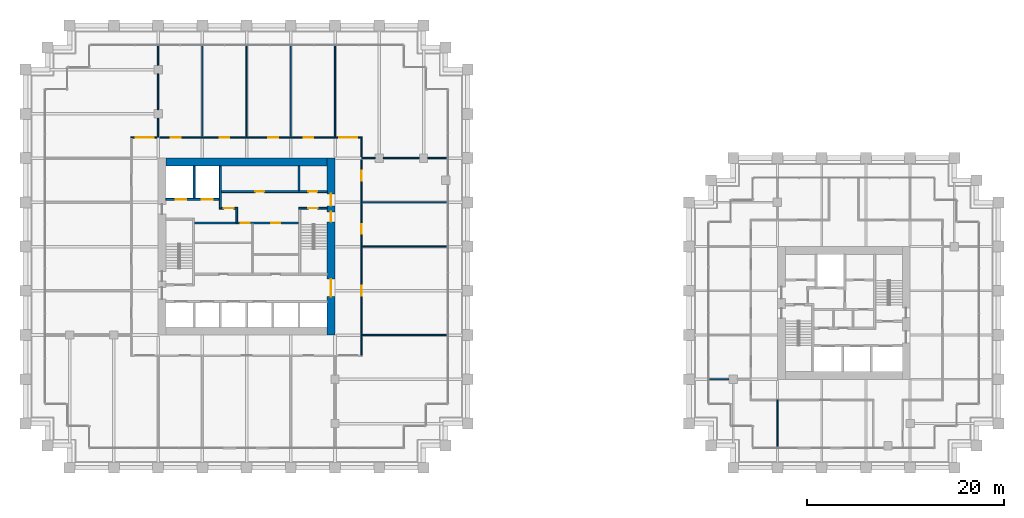
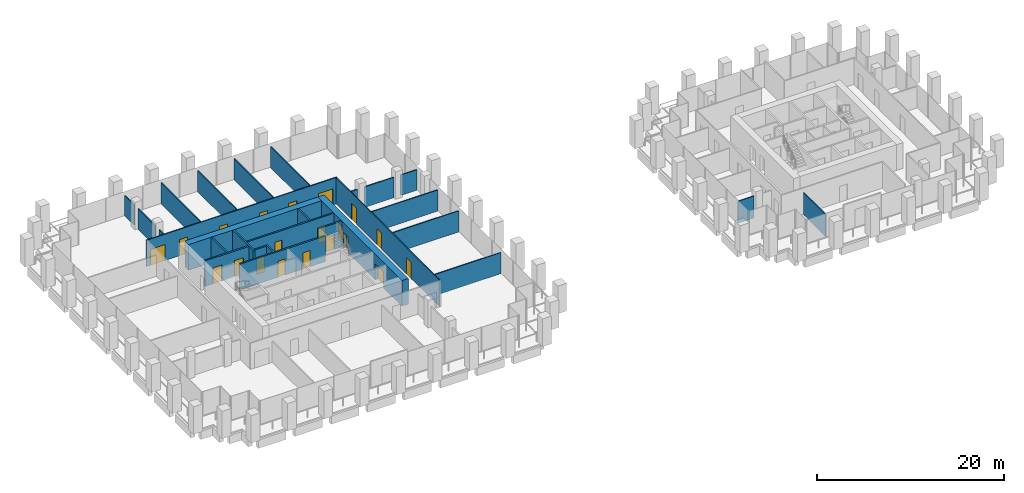
# One storey, part 51 of 56: 28 walls, 20 doors, 20 openings.
"""IFC4 building model written with IfcOpenShell, lengths in metres."""

from ifc_helpers import new_model, si_unit, direction, frame, frame_2d, origin, place, context, subcontext, project, spatial, rectangle, extrude, material, layer, layer_set, type_object, element, fill, save


model = new_model("IFC4")

# Units and contexts
model_context = context("Model", 3, precision=1e-05, world=origin(), true_north=direction((0.0, 1.0)))
body_context = subcontext(model_context, "Body", "Model", "MODEL_VIEW")
ifc_project = project(units=[si_unit("LENGTHUNIT", "METRE"), si_unit("AREAUNIT", "SQUARE_METRE"), si_unit("VOLUMEUNIT", "CUBIC_METRE"), si_unit("PLANEANGLEUNIT", "RADIAN"), si_unit("MASSUNIT", "GRAM", prefix="KILO")], contexts=[model_context])

# Site, building, storey
site_placement = place(None, origin())
site = spatial("IfcSite", under=ifc_project, at=site_placement, CompositionType="ELEMENT")
building_placement = place(site_placement, origin())
building = spatial("IfcBuilding", under=site, at=building_placement, Name="Altepetl Exchange Towers", CompositionType="ELEMENT")
storey_placement = place(building_placement, frame((0.0, 0.0, 51.0)))
storey = spatial("IfcBuildingStorey", under=building, at=storey_placement, Name="L11", CompositionType="ELEMENT", Elevation=51.0)

# Wall, openings, doors
ifc_material_1 = material(Name="Concrete C70/85", Category="concrete")
ifc_layer_1 = layer(ifc_material_1, 0.800048828125)
ifc_layer_set_1 = layer_set([ifc_layer_1], Name="Concrete C70/85")
wall_type_1 = type_object("IfcWallType", Name="Core wall 800 reinforced concrete", PredefinedType="SHEAR", material=ifc_layer_set_1)
wall_1_placement = place(storey_placement, frame((58.10009765625, 40.5, 0.0), z_axis=(0.0, 0.0, 1.0), x_axis=(0.0, 1.0, 0.0)))
wall_1 = element("IfcWall", 1, at=wall_1_placement, inside=storey, type_object=wall_type_1, Name="wall:A:L11:K-coreE", PredefinedType="SHEAR", context=body_context, shape_type="SweptSolid", body=[
    extrude(rectangle(XDim=18.0, YDim=0.800048828125, at=frame_2d((9.0, 0.0))), origin(), (0.0, 0.0, 1.0), 3.35009765625),
])
opening_1_placement = place(wall_1_placement, frame((13.14990234375, 0.0, 0.0)))
opening_1 = element("IfcOpeningElement", 2, at=opening_1_placement, cuts=wall_1, Name="Opening L11.A60", PredefinedType="OPENING", context=body_context, shape_type="SweptSolid", body=[
    extrude(rectangle(XDim=1.199951171875, YDim=2.10009765625, at=frame_2d((0.60009765625, 1.050048828125))), frame((0.0, 0.41015625, 0.0), z_axis=(0.0, -1.0, 0.0), x_axis=(1.0, 0.0, 0.0)), (0.0, 0.0, 1.0), 0.820068359375),
])
opening_2_placement = place(wall_1_placement, frame((3.89990234375, 0.0, 0.0)))
opening_2 = element("IfcOpeningElement", 3, at=opening_2_placement, cuts=wall_1, Name="Opening L11.A61", PredefinedType="OPENING", context=body_context, shape_type="SweptSolid", body=[
    extrude(rectangle(XDim=1.800048828125, YDim=2.10009765625, at=frame_2d((0.89990234375, 1.050048828125))), frame((0.0, 0.41015625, 0.0), z_axis=(0.0, -1.0, 0.0), x_axis=(1.0, 0.0, 0.0)), (0.0, 0.0, 1.0), 0.820068359375),
])
opening_3_placement = place(wall_1_placement, frame((11.52490234375, 0.0, 0.0)))
opening_3 = element("IfcOpeningElement", 4, at=opening_3_placement, cuts=wall_1, Name="Opening L11.A66", PredefinedType="OPENING", context=body_context, shape_type="SweptSolid", body=[
    extrude(rectangle(XDim=1.0, YDim=2.10009765625, at=frame_2d((0.5, 1.050048828125))), frame((0.0, 0.41015625, 0.0), z_axis=(0.0, -1.0, 0.0), x_axis=(1.0, 0.0, 0.0)), (0.0, 0.0, 1.0), 0.820068359375),
])
ifc_material_2 = material(Name="Steel and timber fire door", Category="steel")
door_type_1 = type_object("IfcDoorType", Name="Fire door 1000 x 2100 stair and lobby", OperationType="SINGLE_SWING_LEFT", PredefinedType="DOOR", material=ifc_material_2)
door_1_placement = place(opening_3_placement, origin())
door_1 = element("IfcDoor", 5, at=door_1_placement, inside=storey, type_object=door_type_1, Name="door:A:L11:K-dS2x", OperationType="SINGLE_SWING_RIGHT", OverallHeight=2.10009765625, OverallWidth=1.0, PredefinedType="DOOR", context=body_context, shape_type="SweptSolid", body=[
    extrude(rectangle(XDim=1.0, YDim=2.10009765625, at=frame_2d((0.5, 1.050048828125))), frame((0.0, 0.02490234375, 0.0), z_axis=(0.0, -1.0, 0.0), x_axis=(1.0, 0.0, 0.0)), (0.0, 0.0, 1.0), 0.050048828125),
])
fill(opening_3, door_1)
door_type_2 = type_object("IfcDoorType", Name="Fire door 1200 x 2100 lobby entry", OperationType="SINGLE_SWING_LEFT", PredefinedType="DOOR", material=ifc_material_2)
door_2_placement = place(opening_1_placement, origin())
door_2 = element("IfcDoor", 6, at=door_2_placement, inside=storey, type_object=door_type_2, Name="door:A:L11:K-dLNE", OperationType="SINGLE_SWING_RIGHT", OverallHeight=2.10009765625, OverallWidth=1.199951171875, PredefinedType="DOOR", context=body_context, shape_type="SweptSolid", body=[
    extrude(rectangle(XDim=1.199951171875, YDim=2.10009765625, at=frame_2d((0.60009765625, 1.050048828125))), frame((0.0, 0.02490234375, 0.0), z_axis=(0.0, -1.0, 0.0), x_axis=(1.0, 0.0, 0.0)), (0.0, 0.0, 1.0), 0.050048828125),
])
fill(opening_1, door_2)
door_type_3 = type_object("IfcDoorType", Name="Fire door 1800 x 2100 lobby entry", OperationType="DOUBLE_DOOR_SINGLE_SWING", PredefinedType="DOOR", material=ifc_material_2)
door_3_placement = place(opening_2_placement, origin())
door_3 = element("IfcDoor", 7, at=door_3_placement, inside=storey, type_object=door_type_3, Name="door:A:L11:K-dLSE", OperationType="DOUBLE_DOOR_SINGLE_SWING", OverallHeight=2.10009765625, OverallWidth=1.800048828125, PredefinedType="DOOR", context=body_context, shape_type="SweptSolid", body=[
    extrude(rectangle(XDim=1.800048828125, YDim=2.10009765625, at=frame_2d((0.89990234375, 1.050048828125))), frame((0.0, 0.02490234375, 0.0), z_axis=(0.0, -1.0, 0.0), x_axis=(1.0, 0.0, 0.0)), (0.0, 0.0, 1.0), 0.050048828125),
])
fill(opening_2, door_3)

# Walls
wall_2_placement = place(storey_placement, frame((41.300048828125, 58.10009765625, 0.0)))
element("IfcWall", 8, at=wall_2_placement, inside=storey, type_object=wall_type_1, Name="wall:A:L11:K-coreN", PredefinedType="SHEAR", context=body_context, shape_type="SweptSolid", body=[
    extrude(rectangle(XDim=16.39990234375, YDim=0.800048828125, at=frame_2d((8.199951171875, 0.0))), origin(), (0.0, 0.0, 1.0), 3.35009765625),
])
ifc_material_3 = material(Name="Concrete blockwork", Category="masonry")
ifc_layer_2 = layer(ifc_material_3, 0.199951171875)
ifc_layer_set_2 = layer_set([ifc_layer_2], Name="Concrete blockwork")
wall_type_2 = type_object("IfcWallType", Name="Lobby wall 200 blockwork", PredefinedType="PARTITIONING", material=ifc_layer_set_2)
wall_3_placement = place(storey_placement, frame((48.5, 51.89990234375, 0.0), z_axis=(0.0, 0.0, 1.0), x_axis=(0.0, 1.0, 0.0)))
element("IfcWall", 9, at=wall_3_placement, inside=storey, type_object=wall_type_2, Name="wall:A:L11:K-ffE", PredefinedType="PARTITIONING", context=body_context, shape_type="SweptSolid", body=[
    extrude(rectangle(XDim=1.60009765625, YDim=0.199951171875, at=frame_2d((0.800048828125, 0.0))), origin(), (0.0, 0.0, 1.0), 3.35009765625),
])

# Wall, opening, door
wall_4_placement = place(storey_placement, frame((46.933349609375, 53.39990234375, 0.0)))
wall_4 = element("IfcWall", 10, at=wall_4_placement, inside=storey, type_object=wall_type_2, Name="wall:A:L11:K-ffN", PredefinedType="PARTITIONING", context=body_context, shape_type="SweptSolid", body=[
    extrude(rectangle(XDim=1.466552734375, YDim=0.199951171875, at=frame_2d((0.7333984375, 0.0))), origin(), (0.0, 0.0, 1.0), 3.35009765625),
])
opening_4_placement = place(wall_4_placement, frame((0.2666015625, 0.0, 0.0)))
opening_4 = element("IfcOpeningElement", 11, at=opening_4_placement, cuts=wall_4, Name="Opening L11.A67", PredefinedType="OPENING", context=body_context, shape_type="SweptSolid", body=[
    extrude(rectangle(XDim=1.0, YDim=2.10009765625, at=frame_2d((0.5, 1.050048828125))), frame((0.0, 0.10986328125, 0.0), z_axis=(0.0, -1.0, 0.0), x_axis=(1.0, 0.0, 0.0)), (0.0, 0.0, 1.0), 0.219970703125),
])
door_4_placement = place(opening_4_placement, frame((1.0, 0.0, 0.0), x_axis=(-1.0, 0.0, 0.0)))
door_4 = element("IfcDoor", 12, at=door_4_placement, inside=storey, type_object=door_type_1, Name="door:A:L11:K-dffN", OperationType="SINGLE_SWING_RIGHT", OverallHeight=2.10009765625, OverallWidth=1.0, PredefinedType="DOOR", context=body_context, shape_type="SweptSolid", body=[
    extrude(rectangle(XDim=1.0, YDim=2.10009765625, at=frame_2d((0.5, 1.050048828125))), frame((0.0, 0.02490234375, 0.0), z_axis=(0.0, -1.0, 0.0), x_axis=(1.0, 0.0, 0.0)), (0.0, 0.0, 1.0), 0.050048828125),
])
fill(opening_4, door_4)

# Wall, openings, doors
wall_5_placement = place(storey_placement, frame((44.199951171875, 51.89990234375, 0.0)))
wall_5 = element("IfcWall", 13, at=wall_5_placement, inside=storey, type_object=wall_type_2, Name="wall:A:L11:K-zoneN", PredefinedType="PARTITIONING", context=body_context, shape_type="SweptSolid", body=[
    extrude(rectangle(XDim=10.60009765625, YDim=0.199951171875, at=frame_2d((5.300048828125, 0.0))), origin(), (0.0, 0.0, 1.0), 3.35009765625),
])
opening_5_placement = place(wall_5_placement, frame((4.72509765625, 0.0, 0.0)))
opening_5 = element("IfcOpeningElement", 14, at=opening_5_placement, cuts=wall_5, Name="Opening L11.A72", PredefinedType="OPENING", context=body_context, shape_type="SweptSolid", body=[
    extrude(rectangle(XDim=0.89990234375, YDim=2.10009765625, at=frame_2d((0.449951171875, 1.050048828125))), frame((0.0, 0.10986328125, 0.0), z_axis=(0.0, -1.0, 0.0), x_axis=(1.0, 0.0, 0.0)), (0.0, 0.0, 1.0), 0.219970703125),
])
opening_6_placement = place(wall_5_placement, frame((7.800048828125, 0.0, 0.0)))
opening_6 = element("IfcOpeningElement", 15, at=opening_6_placement, cuts=wall_5, Name="Opening L11.A74", PredefinedType="OPENING", context=body_context, shape_type="SweptSolid", body=[
    extrude(rectangle(XDim=0.89990234375, YDim=2.10009765625, at=frame_2d((0.449951171875, 1.050048828125))), frame((0.0, 0.10986328125, 0.0), z_axis=(0.0, -1.0, 0.0), x_axis=(1.0, 0.0, 0.0)), (0.0, 0.0, 1.0), 0.219970703125),
])
door_type_4 = type_object("IfcDoorType", Name="Fire door 900 x 2100 service room", OperationType="SINGLE_SWING_LEFT", PredefinedType="DOOR", material=ifc_material_2)
door_5_placement = place(opening_5_placement, frame((0.89990234375, 0.0, 0.0), x_axis=(-1.0, 0.0, 0.0)))
door_5 = element("IfcDoor", 16, at=door_5_placement, inside=storey, type_object=door_type_4, Name="door:A:L11:K-dz2", OperationType="SINGLE_SWING_RIGHT", OverallHeight=2.10009765625, OverallWidth=0.89990234375, PredefinedType="DOOR", context=body_context, shape_type="SweptSolid", body=[
    extrude(rectangle(XDim=0.89990234375, YDim=2.10009765625, at=frame_2d((0.449951171875, 1.050048828125))), frame((0.0, 0.02490234375, 0.0), z_axis=(0.0, -1.0, 0.0), x_axis=(1.0, 0.0, 0.0)), (0.0, 0.0, 1.0), 0.050048828125),
])
fill(opening_5, door_5)
door_6_placement = place(opening_6_placement, frame((0.89990234375, 0.0, 0.0), x_axis=(-1.0, 0.0, 0.0)))
door_6 = element("IfcDoor", 17, at=door_6_placement, inside=storey, type_object=door_type_4, Name="door:A:L11:K-dz4", OperationType="SINGLE_SWING_LEFT", OverallHeight=2.10009765625, OverallWidth=0.89990234375, PredefinedType="DOOR", context=body_context, shape_type="SweptSolid", body=[
    extrude(rectangle(XDim=0.89990234375, YDim=2.10009765625, at=frame_2d((0.449951171875, 1.050048828125))), frame((0.0, 0.02490234375, 0.0), z_axis=(0.0, -1.0, 0.0), x_axis=(1.0, 0.0, 0.0)), (0.0, 0.0, 1.0), 0.050048828125),
])
fill(opening_6, door_6)

# Walls
ifc_material_4 = material(Name="Gypsum board on steel studs", Category="steel")
ifc_layer_3 = layer(ifc_material_4, 0.125)
ifc_layer_set_3 = layer_set([ifc_layer_3], Name="Gypsum board on steel studs")
wall_type_3 = type_object("IfcWallType", Name="Partition 125 gypsum board on steel studs", PredefinedType="PARTITIONING", material=ifc_layer_set_3)
for number, where, name in (
    (18, (61.199951171875, 40.5, 0.0), "wall:A:L11:P05"),
    (19, (61.199951171875, 49.5, 0.0), "wall:A:L11:P07"),
    (20, (61.199951171875, 54.0, 0.0), "wall:A:L11:P09"),
):
    element("IfcWall", number, at=place(storey_placement, frame(where)), inside=storey, type_object=wall_type_3, Name=name, PredefinedType="PARTITIONING", context=body_context, shape_type="SweptSolid", body=[
        extrude(rectangle(XDim=8.699951171875, YDim=0.125, at=frame_2d((4.35009765625, 0.0))), origin(), (0.0, 0.0, 1.0), 2.76611328125),
    ])
wall_6_placement = place(storey_placement, frame((61.199951171875, 58.5, 0.0)))
element("IfcWall", 21, at=wall_6_placement, inside=storey, type_object=wall_type_3, Name="wall:A:L11:P11", PredefinedType="PARTITIONING", context=body_context, shape_type="SweptSolid", body=[
    extrude(rectangle(XDim=1.375, YDim=0.125, at=frame_2d((0.6875, 0.0))), origin(), (0.0, 0.0, 1.0), 2.676025390625),
])
wall_7_placement = place(storey_placement, frame((63.425048828125, 58.5, 0.0)))
element("IfcWall", 22, at=wall_7_placement, inside=storey, type_object=wall_type_3, Name="wall:A:L11:P12", PredefinedType="PARTITIONING", context=body_context, shape_type="SweptSolid", body=[
    extrude(rectangle(XDim=3.64990234375, YDim=0.125, at=frame_2d((1.824951171875, 0.0))), origin(), (0.0, 0.0, 1.0), 2.676025390625),
])
wall_8_placement = place(storey_placement, frame((67.925048828125, 58.5, 0.0)))
element("IfcWall", 23, at=wall_8_placement, inside=storey, type_object=wall_type_3, Name="wall:A:L11:P13", PredefinedType="PARTITIONING", context=body_context, shape_type="SweptSolid", body=[
    extrude(rectangle(XDim=1.974853515625, YDim=0.125, at=frame_2d((0.9873046875, 0.0))), origin(), (0.0, 0.0, 1.0), 2.676025390625),
])

# Wall, openings, doors
wall_9_placement = place(storey_placement, frame((37.737548828125, 60.60009765625, 0.0)))
wall_9 = element("IfcWall", 24, at=wall_9_placement, inside=storey, type_object=wall_type_3, Name="wall:A:L11:P14", PredefinedType="PARTITIONING", context=body_context, shape_type="SweptSolid", body=[
    extrude(rectangle(XDim=23.52490234375, YDim=0.125, at=frame_2d((11.762451171875, 0.0))), origin(), (0.0, 0.0, 1.0), 3.449951171875),
])
opening_7_placement = place(wall_9_placement, frame((21.21240234375, 0.0, 0.0)))
opening_7 = element("IfcOpeningElement", 25, at=opening_7_placement, cuts=wall_9, Name="Opening L11.A10", PredefinedType="OPENING", context=body_context, shape_type="SweptSolid", body=[
    extrude(rectangle(XDim=1.800048828125, YDim=2.10009765625, at=frame_2d((0.89990234375, 1.050048828125))), frame((0.0, 0.072509765625, 0.0), z_axis=(0.0, -1.0, 0.0), x_axis=(1.0, 0.0, 0.0)), (0.0, 0.0, 1.0), 0.14501953125),
])
opening_8_placement = place(wall_9_placement, frame((17.5576171875, 0.0, 0.0)))
opening_8 = element("IfcOpeningElement", 26, at=opening_8_placement, cuts=wall_9, Name="Opening L11.A11", PredefinedType="OPENING", context=body_context, shape_type="SweptSolid", body=[
    extrude(rectangle(XDim=1.0, YDim=2.10009765625, at=frame_2d((0.5, 1.050048828125))), frame((0.0, 0.072509765625, 0.0), z_axis=(0.0, -1.0, 0.0), x_axis=(1.0, 0.0, 0.0)), (0.0, 0.0, 1.0), 0.14501953125),
])
opening_9_placement = place(wall_9_placement, frame((13.967529296875, 0.0, 0.0)))
opening_9 = element("IfcOpeningElement", 27, at=opening_9_placement, cuts=wall_9, Name="Opening L11.A12", PredefinedType="OPENING", context=body_context, shape_type="SweptSolid", body=[
    extrude(rectangle(XDim=1.0, YDim=2.10009765625, at=frame_2d((0.5, 1.050048828125))), frame((0.0, 0.072509765625, 0.0), z_axis=(0.0, -1.0, 0.0), x_axis=(1.0, 0.0, 0.0)), (0.0, 0.0, 1.0), 0.14501953125),
])
opening_10_placement = place(wall_9_placement, frame((9.012451171875, 0.0, 0.0)))
opening_10 = element("IfcOpeningElement", 28, at=opening_10_placement, cuts=wall_9, Name="Opening L11.A13", PredefinedType="OPENING", context=body_context, shape_type="SweptSolid", body=[
    extrude(rectangle(XDim=1.0, YDim=2.10009765625, at=frame_2d((0.5, 1.050048828125))), frame((0.0, 0.072509765625, 0.0), z_axis=(0.0, -1.0, 0.0), x_axis=(1.0, 0.0, 0.0)), (0.0, 0.0, 1.0), 0.14501953125),
])
opening_11_placement = place(wall_9_placement, frame((4.0576171875, 0.0, 0.0)))
opening_11 = element("IfcOpeningElement", 29, at=opening_11_placement, cuts=wall_9, Name="Opening L11.A14", PredefinedType="OPENING", context=body_context, shape_type="SweptSolid", body=[
    extrude(rectangle(XDim=1.0, YDim=2.10009765625, at=frame_2d((0.5, 1.050048828125))), frame((0.0, 0.072509765625, 0.0), z_axis=(0.0, -1.0, 0.0), x_axis=(1.0, 0.0, 0.0)), (0.0, 0.0, 1.0), 0.14501953125),
])
opening_12_placement = place(wall_9_placement, frame((0.512451171875, 0.0, 0.0)))
opening_12 = element("IfcOpeningElement", 30, at=opening_12_placement, cuts=wall_9, Name="Opening L11.A15", PredefinedType="OPENING", context=body_context, shape_type="SweptSolid", body=[
    extrude(rectangle(XDim=1.800048828125, YDim=2.10009765625, at=frame_2d((0.89990234375, 1.050048828125))), frame((0.0, 0.072509765625, 0.0), z_axis=(0.0, -1.0, 0.0), x_axis=(1.0, 0.0, 0.0)), (0.0, 0.0, 1.0), 0.14501953125),
])
door_type_5 = type_object("IfcDoorType", Name="Fire door 1000 x 2100 single leaf", OperationType="SINGLE_SWING_LEFT", PredefinedType="DOOR", material=ifc_material_2)
door_7_placement = place(opening_8_placement, origin())
door_7 = element("IfcDoor", 31, at=door_7_placement, inside=storey, type_object=door_type_5, Name="door:A:L11:11", OperationType="SINGLE_SWING_RIGHT", OverallHeight=2.10009765625, OverallWidth=1.0, PredefinedType="DOOR", context=body_context, shape_type="SweptSolid", body=[
    extrude(rectangle(XDim=1.0, YDim=2.10009765625, at=frame_2d((0.5, 1.050048828125))), frame((0.0, 0.02490234375, 0.0), z_axis=(0.0, -1.0, 0.0), x_axis=(1.0, 0.0, 0.0)), (0.0, 0.0, 1.0), 0.050048828125),
])
fill(opening_8, door_7)
door_8_placement = place(opening_9_placement, origin())
door_8 = element("IfcDoor", 32, at=door_8_placement, inside=storey, type_object=door_type_5, Name="door:A:L11:12", OperationType="SINGLE_SWING_LEFT", OverallHeight=2.10009765625, OverallWidth=1.0, PredefinedType="DOOR", context=body_context, shape_type="SweptSolid", body=[
    extrude(rectangle(XDim=1.0, YDim=2.10009765625, at=frame_2d((0.5, 1.050048828125))), frame((0.0, 0.02490234375, 0.0), z_axis=(0.0, -1.0, 0.0), x_axis=(1.0, 0.0, 0.0)), (0.0, 0.0, 1.0), 0.050048828125),
])
fill(opening_9, door_8)
door_9_placement = place(opening_10_placement, origin())
door_9 = element("IfcDoor", 33, at=door_9_placement, inside=storey, type_object=door_type_5, Name="door:A:L11:13", OperationType="SINGLE_SWING_RIGHT", OverallHeight=2.10009765625, OverallWidth=1.0, PredefinedType="DOOR", context=body_context, shape_type="SweptSolid", body=[
    extrude(rectangle(XDim=1.0, YDim=2.10009765625, at=frame_2d((0.5, 1.050048828125))), frame((0.0, 0.02490234375, 0.0), z_axis=(0.0, -1.0, 0.0), x_axis=(1.0, 0.0, 0.0)), (0.0, 0.0, 1.0), 0.050048828125),
])
fill(opening_10, door_9)
door_10_placement = place(opening_11_placement, origin())
door_10 = element("IfcDoor", 34, at=door_10_placement, inside=storey, type_object=door_type_5, Name="door:A:L11:14", OperationType="SINGLE_SWING_LEFT", OverallHeight=2.10009765625, OverallWidth=1.0, PredefinedType="DOOR", context=body_context, shape_type="SweptSolid", body=[
    extrude(rectangle(XDim=1.0, YDim=2.10009765625, at=frame_2d((0.5, 1.050048828125))), frame((0.0, 0.02490234375, 0.0), z_axis=(0.0, -1.0, 0.0), x_axis=(1.0, 0.0, 0.0)), (0.0, 0.0, 1.0), 0.050048828125),
])
fill(opening_11, door_10)
door_type_6 = type_object("IfcDoorType", Name="Fire door 1800 x 2100 double leaf", OperationType="DOUBLE_DOOR_SINGLE_SWING", PredefinedType="DOOR", material=ifc_material_2)
door_11_placement = place(opening_7_placement, origin())
door_11 = element("IfcDoor", 35, at=door_11_placement, inside=storey, type_object=door_type_6, Name="door:A:L11:10", OperationType="DOUBLE_DOOR_SINGLE_SWING", OverallHeight=2.10009765625, OverallWidth=1.800048828125, PredefinedType="DOOR", context=body_context, shape_type="SweptSolid", body=[
    extrude(rectangle(XDim=1.800048828125, YDim=2.10009765625, at=frame_2d((0.89990234375, 1.050048828125))), frame((0.0, 0.02490234375, 0.0), z_axis=(0.0, -1.0, 0.0), x_axis=(1.0, 0.0, 0.0)), (0.0, 0.0, 1.0), 0.050048828125),
])
fill(opening_7, door_11)
door_12_placement = place(opening_12_placement, origin())
door_12 = element("IfcDoor", 36, at=door_12_placement, inside=storey, type_object=door_type_6, Name="door:A:L11:15", OperationType="DOUBLE_DOOR_SINGLE_SWING", OverallHeight=2.10009765625, OverallWidth=1.800048828125, PredefinedType="DOOR", context=body_context, shape_type="SweptSolid", body=[
    extrude(rectangle(XDim=1.800048828125, YDim=2.10009765625, at=frame_2d((0.89990234375, 1.050048828125))), frame((0.0, 0.02490234375, 0.0), z_axis=(0.0, -1.0, 0.0), x_axis=(1.0, 0.0, 0.0)), (0.0, 0.0, 1.0), 0.050048828125),
])
fill(opening_12, door_12)

# Walls
wall_10_placement = place(storey_placement, frame((40.5, 60.60009765625, 0.0), z_axis=(0.0, 0.0, 1.0), x_axis=(0.0, 1.0, 0.0)))
element("IfcWall", 37, at=wall_10_placement, inside=storey, type_object=wall_type_3, Name="wall:A:L11:P17", PredefinedType="PARTITIONING", context=body_context, shape_type="SweptSolid", body=[
    extrude(rectangle(XDim=1.974853515625, YDim=0.125, at=frame_2d((0.9873046875, 0.0))), origin(), (0.0, 0.0, 1.0), 2.676025390625),
])
wall_11_placement = place(storey_placement, frame((40.5, 63.425048828125, 0.0), z_axis=(0.0, 0.0, 1.0), x_axis=(0.0, 1.0, 0.0)))
element("IfcWall", 38, at=wall_11_placement, inside=storey, type_object=wall_type_3, Name="wall:A:L11:P18", PredefinedType="PARTITIONING", context=body_context, shape_type="SweptSolid", body=[
    extrude(rectangle(XDim=3.64990234375, YDim=0.125, at=frame_2d((1.824951171875, 0.0))), origin(), (0.0, 0.0, 1.0), 2.676025390625),
])
wall_12_placement = place(storey_placement, frame((40.5, 67.925048828125, 0.0), z_axis=(0.0, 0.0, 1.0), x_axis=(0.0, 1.0, 0.0)))
element("IfcWall", 39, at=wall_12_placement, inside=storey, type_object=wall_type_3, Name="wall:A:L11:P19", PredefinedType="PARTITIONING", context=body_context, shape_type="SweptSolid", body=[
    extrude(rectangle(XDim=1.974853515625, YDim=0.125, at=frame_2d((0.9873046875, 0.0))), origin(), (0.0, 0.0, 1.0), 2.676025390625),
])
for number, where, z_axis, x_axis, name in (
    (40, (45.0, 60.60009765625, 0.0), (0.0, 0.0, 1.0), (0.0, 1.0, 0.0), "wall:A:L11:P21"),
    (41, (49.5, 60.60009765625, 0.0), (0.0, 0.0, 1.0), (0.0, 1.0, 0.0), "wall:A:L11:P22"),
    (42, (54.0, 60.60009765625, 0.0), (0.0, 0.0, 1.0), (0.0, 1.0, 0.0), "wall:A:L11:P24"),
    (43, (58.5, 60.60009765625, 0.0), (0.0, 0.0, 1.0), (0.0, 1.0, 0.0), "wall:A:L11:P28"),
):
    element("IfcWall", number, at=place(storey_placement, frame(where, z_axis=z_axis, x_axis=x_axis)), inside=storey, type_object=wall_type_3, Name=name, PredefinedType="PARTITIONING", context=body_context, shape_type="SweptSolid", body=[
        extrude(rectangle(XDim=9.2998046875, YDim=0.125, at=frame_2d((4.64990234375, 0.0))), origin(), (0.0, 0.0, 1.0), 2.76611328125),
    ])

# Wall, openings, doors
wall_13_placement = place(storey_placement, frame((61.199951171875, 38.46240234375, 0.0), z_axis=(0.0, 0.0, 1.0), x_axis=(0.0, 1.0, 0.0)))
wall_13 = element("IfcWall", 44, at=wall_13_placement, inside=storey, type_object=wall_type_3, Name="wall:A:L11:P29", PredefinedType="PARTITIONING", context=body_context, shape_type="SweptSolid", body=[
    extrude(rectangle(XDim=22.0751953125, YDim=0.125, at=frame_2d((11.03759765625, 0.0))), origin(), (0.0, 0.0, 1.0), 3.449951171875),
])
opening_13_placement = place(wall_13_placement, frame((6.03759765625, 0.0, 0.0)))
opening_13 = element("IfcOpeningElement", 45, at=opening_13_placement, cuts=wall_13, Name="Opening L11.A07", PredefinedType="OPENING", context=body_context, shape_type="SweptSolid", body=[
    extrude(rectangle(XDim=1.0, YDim=2.10009765625, at=frame_2d((0.5, 1.050048828125))), frame((0.0, 0.072509765625, 0.0), z_axis=(0.0, -1.0, 0.0), x_axis=(1.0, 0.0, 0.0)), (0.0, 0.0, 1.0), 0.14501953125),
])
opening_14_placement = place(wall_13_placement, frame((12.33251953125, 0.0, 0.0)))
opening_14 = element("IfcOpeningElement", 46, at=opening_14_placement, cuts=wall_13, Name="Opening L11.A08", PredefinedType="OPENING", context=body_context, shape_type="SweptSolid", body=[
    extrude(rectangle(XDim=1.0, YDim=2.10009765625, at=frame_2d((0.5, 1.050048828125))), frame((0.0, 0.072509765625, 0.0), z_axis=(0.0, -1.0, 0.0), x_axis=(1.0, 0.0, 0.0)), (0.0, 0.0, 1.0), 0.14501953125),
])
opening_15_placement = place(wall_13_placement, frame((17.742431640625, 0.0, 0.0)))
opening_15 = element("IfcOpeningElement", 47, at=opening_15_placement, cuts=wall_13, Name="Opening L11.A09", PredefinedType="OPENING", context=body_context, shape_type="SweptSolid", body=[
    extrude(rectangle(XDim=1.0, YDim=2.10009765625, at=frame_2d((0.5, 1.050048828125))), frame((0.0, 0.072509765625, 0.0), z_axis=(0.0, -1.0, 0.0), x_axis=(1.0, 0.0, 0.0)), (0.0, 0.0, 1.0), 0.14501953125),
])
door_13_placement = place(opening_13_placement, frame((1.0, 0.0, 0.0), x_axis=(-1.0, 0.0, 0.0)))
door_13 = element("IfcDoor", 48, at=door_13_placement, inside=storey, type_object=door_type_5, Name="door:A:L11:07", OperationType="SINGLE_SWING_RIGHT", OverallHeight=2.10009765625, OverallWidth=1.0, PredefinedType="DOOR", context=body_context, shape_type="SweptSolid", body=[
    extrude(rectangle(XDim=1.0, YDim=2.10009765625, at=frame_2d((0.5, 1.050048828125))), frame((0.0, 0.02490234375, 0.0), z_axis=(0.0, -1.0, 0.0), x_axis=(1.0, 0.0, 0.0)), (0.0, 0.0, 1.0), 0.050048828125),
])
fill(opening_13, door_13)
door_14_placement = place(opening_14_placement, frame((1.0, 0.0, 0.0), x_axis=(-1.0, 0.0, 0.0)))
door_14 = element("IfcDoor", 49, at=door_14_placement, inside=storey, type_object=door_type_5, Name="door:A:L11:08", OperationType="SINGLE_SWING_RIGHT", OverallHeight=2.10009765625, OverallWidth=1.0, PredefinedType="DOOR", context=body_context, shape_type="SweptSolid", body=[
    extrude(rectangle(XDim=1.0, YDim=2.10009765625, at=frame_2d((0.5, 1.050048828125))), frame((0.0, 0.02490234375, 0.0), z_axis=(0.0, -1.0, 0.0), x_axis=(1.0, 0.0, 0.0)), (0.0, 0.0, 1.0), 0.050048828125),
])
fill(opening_14, door_14)
door_15_placement = place(opening_15_placement, frame((1.0, 0.0, 0.0), x_axis=(-1.0, 0.0, 0.0)))
door_15 = element("IfcDoor", 50, at=door_15_placement, inside=storey, type_object=door_type_5, Name="door:A:L11:09", OperationType="SINGLE_SWING_LEFT", OverallHeight=2.10009765625, OverallWidth=1.0, PredefinedType="DOOR", context=body_context, shape_type="SweptSolid", body=[
    extrude(rectangle(XDim=1.0, YDim=2.10009765625, at=frame_2d((0.5, 1.050048828125))), frame((0.0, 0.02490234375, 0.0), z_axis=(0.0, -1.0, 0.0), x_axis=(1.0, 0.0, 0.0)), (0.0, 0.0, 1.0), 0.050048828125),
])
fill(opening_15, door_15)

# Walls
wall_14_placement = place(storey_placement, frame((96.60009765625, 36.0, 0.0)))
element("IfcWall", 51, at=wall_14_placement, inside=storey, type_object=wall_type_3, Name="wall:B:L11:P03", PredefinedType="PARTITIONING", context=body_context, shape_type="SweptSolid", body=[
    extrude(rectangle(XDim=1.974853515625, YDim=0.125, at=frame_2d((0.9873046875, 0.0))), origin(), (0.0, 0.0, 1.0), 2.842041015625),
])
wall_15_placement = place(storey_placement, frame((103.5, 29.10009765625, 0.0), z_axis=(0.0, 0.0, 1.0), x_axis=(0.0, 1.0, 0.0)))
element("IfcWall", 52, at=wall_15_placement, inside=storey, type_object=wall_type_3, Name="wall:B:L11:P15", PredefinedType="PARTITIONING", context=body_context, shape_type="SweptSolid", body=[
    extrude(rectangle(XDim=4.7998046875, YDim=0.125, at=frame_2d((2.39990234375, 0.0))), origin(), (0.0, 0.0, 1.0), 2.85107421875),
])
ifc_material_5 = material(Name="Concrete C40/50", Category="concrete")
ifc_layer_4 = layer(ifc_material_5, 0.199951171875)
ifc_layer_set_4 = layer_set([ifc_layer_4], Name="Concrete C40/50")
wall_type_4 = type_object("IfcWallType", Name="Shaft wall 200 reinforced concrete", PredefinedType="SHEAR", material=ifc_layer_set_4)
wall_16_placement = place(storey_placement, frame((44.166748046875, 57.699951171875, 0.0), z_axis=(0.0, 0.0, 1.0), x_axis=(0.0, -1.0, 0.0)))
element("IfcWall", 53, at=wall_16_placement, inside=storey, type_object=wall_type_4, Name="wall:A:L11:K-divN1", PredefinedType="SHEAR", context=body_context, shape_type="SweptSolid", body=[
    extrude(rectangle(XDim=3.300048828125, YDim=0.199951171875, at=frame_2d((1.64990234375, 0.0))), origin(), (0.0, 0.0, 1.0), 3.35009765625),
])
wall_17_placement = place(storey_placement, frame((46.833251953125, 57.699951171875, 0.0), z_axis=(0.0, 0.0, 1.0), x_axis=(0.0, -1.0, 0.0)))
element("IfcWall", 54, at=wall_17_placement, inside=storey, type_object=wall_type_4, Name="wall:A:L11:K-divN2", PredefinedType="SHEAR", context=body_context, shape_type="SweptSolid", body=[
    extrude(rectangle(XDim=4.39990234375, YDim=0.199951171875, at=frame_2d((2.199951171875, 0.0))), origin(), (0.0, 0.0, 1.0), 3.35009765625),
])
wall_18_placement = place(storey_placement, frame((54.833251953125, 57.699951171875, 0.0), z_axis=(0.0, 0.0, 1.0), x_axis=(0.0, -1.0, 0.0)))
element("IfcWall", 55, at=wall_18_placement, inside=storey, type_object=wall_type_4, Name="wall:A:L11:K-divN5", PredefinedType="SHEAR", context=body_context, shape_type="SweptSolid", body=[
    extrude(rectangle(XDim=2.5, YDim=0.199951171875, at=frame_2d((1.25, 0.0))), origin(), (0.0, 0.0, 1.0), 3.35009765625),
])

# Wall, openings, doors
wall_19_placement = place(storey_placement, frame((46.933349609375, 55.10009765625, 0.0)))
wall_19 = element("IfcWall", 56, at=wall_19_placement, inside=storey, type_object=wall_type_4, Name="wall:A:L11:K-frontNb", PredefinedType="SHEAR", context=body_context, shape_type="SweptSolid", body=[
    extrude(rectangle(XDim=10.7666015625, YDim=0.199951171875, at=frame_2d((5.38330078125, 0.0))), origin(), (0.0, 0.0, 1.0), 3.35009765625),
])
opening_16_placement = place(wall_19_placement, frame((8.83349609375, 0.0, 0.0)))
opening_16 = element("IfcOpeningElement", 57, at=opening_16_placement, cuts=wall_19, Name="Opening L11.A69", PredefinedType="OPENING", context=body_context, shape_type="SweptSolid", body=[
    extrude(rectangle(XDim=0.89990234375, YDim=2.10009765625, at=frame_2d((0.449951171875, 1.050048828125))), frame((0.0, 0.10986328125, 0.0), z_axis=(0.0, -1.0, 0.0), x_axis=(1.0, 0.0, 0.0)), (0.0, 0.0, 1.0), 0.219970703125),
])
opening_17_placement = place(wall_19_placement, frame((3.449951171875, 0.0, 0.0)))
opening_17 = element("IfcOpeningElement", 58, at=opening_17_placement, cuts=wall_19, Name="Opening L11.A70", PredefinedType="OPENING", context=body_context, shape_type="SweptSolid", body=[
    extrude(rectangle(XDim=0.89990234375, YDim=2.10009765625, at=frame_2d((0.449951171875, 1.050048828125))), frame((0.0, 0.10986328125, 0.0), z_axis=(0.0, -1.0, 0.0), x_axis=(1.0, 0.0, 0.0)), (0.0, 0.0, 1.0), 0.219970703125),
])
door_16_placement = place(opening_16_placement, origin())
door_16 = element("IfcDoor", 59, at=door_16_placement, inside=storey, type_object=door_type_4, Name="door:A:L11:K-driser", OperationType="SINGLE_SWING_RIGHT", OverallHeight=2.10009765625, OverallWidth=0.89990234375, PredefinedType="DOOR", context=body_context, shape_type="SweptSolid", body=[
    extrude(rectangle(XDim=0.89990234375, YDim=2.10009765625, at=frame_2d((0.449951171875, 1.050048828125))), frame((0.0, 0.02490234375, 0.0), z_axis=(0.0, -1.0, 0.0), x_axis=(1.0, 0.0, 0.0)), (0.0, 0.0, 1.0), 0.050048828125),
])
fill(opening_16, door_16)
door_17_placement = place(opening_17_placement, origin())
door_17 = element("IfcDoor", 60, at=door_17_placement, inside=storey, type_object=door_type_4, Name="door:A:L11:K-dslotN2", OperationType="SINGLE_SWING_RIGHT", OverallHeight=2.10009765625, OverallWidth=0.89990234375, PredefinedType="DOOR", context=body_context, shape_type="SweptSolid", body=[
    extrude(rectangle(XDim=0.89990234375, YDim=2.10009765625, at=frame_2d((0.449951171875, 1.050048828125))), frame((0.0, 0.02490234375, 0.0), z_axis=(0.0, -1.0, 0.0), x_axis=(1.0, 0.0, 0.0)), (0.0, 0.0, 1.0), 0.050048828125),
])
fill(opening_17, door_17)

wall_20_placement = place(storey_placement, frame((41.300048828125, 54.300048828125, 0.0)))
wall_20 = element("IfcWall", 61, at=wall_20_placement, inside=storey, type_object=wall_type_4, Name="wall:A:L11:K-frontNd", PredefinedType="SHEAR", context=body_context, shape_type="SweptSolid", body=[
    extrude(rectangle(XDim=5.433349609375, YDim=0.199951171875, at=frame_2d((2.716796875, 0.0))), origin(), (0.0, 0.0, 1.0), 3.35009765625),
])
opening_18_placement = place(wall_20_placement, frame((0.9833984375, 0.0, 0.0)))
opening_18 = element("IfcOpeningElement", 62, at=opening_18_placement, cuts=wall_20, Name="Opening L11.A75", PredefinedType="OPENING", context=body_context, shape_type="SweptSolid", body=[
    extrude(rectangle(XDim=1.10009765625, YDim=2.10009765625, at=frame_2d((0.550048828125, 1.050048828125))), frame((0.0, 0.10986328125, 0.0), z_axis=(0.0, -1.0, 0.0), x_axis=(1.0, 0.0, 0.0)), (0.0, 0.0, 1.0), 0.219970703125),
])
opening_19_placement = place(wall_20_placement, frame((3.64990234375, 0.0, 0.0)))
opening_19 = element("IfcOpeningElement", 63, at=opening_19_placement, cuts=wall_20, Name="Opening L11.A76", PredefinedType="OPENING", context=body_context, shape_type="SweptSolid", body=[
    extrude(rectangle(XDim=1.10009765625, YDim=2.10009765625, at=frame_2d((0.550048828125, 1.050048828125))), frame((0.0, 0.10986328125, 0.0), z_axis=(0.0, -1.0, 0.0), x_axis=(1.0, 0.0, 0.0)), (0.0, 0.0, 1.0), 0.219970703125),
])
ifc_material_6 = material(Name="Stainless steel", Category="steel")
door_type_7 = type_object("IfcDoorType", Name="Lift landing door 1100 x 2100", OperationType="SLIDING_TO_LEFT", PredefinedType="DOOR", material=ifc_material_6)
door_18_placement = place(opening_18_placement, origin())
door_18 = element("IfcDoor", 64, at=door_18_placement, inside=storey, type_object=door_type_7, Name="Landing door FFL1", OperationType="SLIDING_TO_LEFT", OverallHeight=2.10009765625, OverallWidth=1.10009765625, PredefinedType="DOOR", context=body_context, shape_type="SweptSolid", body=[
    extrude(rectangle(XDim=1.10009765625, YDim=2.10009765625, at=frame_2d((0.550048828125, 1.050048828125))), frame((0.0, 0.02490234375, 0.0), z_axis=(0.0, -1.0, 0.0), x_axis=(1.0, 0.0, 0.0)), (0.0, 0.0, 1.0), 0.050048828125),
])
fill(opening_18, door_18)
door_19_placement = place(opening_19_placement, origin())
door_19 = element("IfcDoor", 65, at=door_19_placement, inside=storey, type_object=door_type_7, Name="Landing door FFL2", OperationType="SLIDING_TO_LEFT", OverallHeight=2.10009765625, OverallWidth=1.10009765625, PredefinedType="DOOR", context=body_context, shape_type="SweptSolid", body=[
    extrude(rectangle(XDim=1.10009765625, YDim=2.10009765625, at=frame_2d((0.550048828125, 1.050048828125))), frame((0.0, 0.02490234375, 0.0), z_axis=(0.0, -1.0, 0.0), x_axis=(1.0, 0.0, 0.0)), (0.0, 0.0, 1.0), 0.050048828125),
])
fill(opening_19, door_19)

# Wall, opening, door
ifc_layer_5 = layer(ifc_material_5, 0.199951171875)
ifc_layer_set_5 = layer_set([ifc_layer_5], Name="Concrete C40/50")
wall_type_5 = type_object("IfcWallType", Name="Stair wall 200 reinforced concrete", PredefinedType="SHEAR", material=ifc_layer_set_5)
wall_21_placement = place(storey_placement, frame((54.800048828125, 53.39990234375, 0.0)))
wall_21 = element("IfcWall", 66, at=wall_21_placement, inside=storey, type_object=wall_type_5, Name="wall:A:L11:K-stS2N", PredefinedType="SHEAR", context=body_context, shape_type="SweptSolid", body=[
    extrude(rectangle(XDim=2.89990234375, YDim=0.199951171875, at=frame_2d((1.449951171875, 0.0))), origin(), (0.0, 0.0, 1.0), 3.35009765625),
])
opening_20_placement = place(wall_21_placement, frame((0.949951171875, 0.0, 0.0)))
opening_20 = element("IfcOpeningElement", 67, at=opening_20_placement, cuts=wall_21, Name="Opening L11.A65", PredefinedType="OPENING", context=body_context, shape_type="SweptSolid", body=[
    extrude(rectangle(XDim=1.0, YDim=2.10009765625, at=frame_2d((0.5, 1.050048828125))), frame((0.0, 0.10986328125, 0.0), z_axis=(0.0, -1.0, 0.0), x_axis=(1.0, 0.0, 0.0)), (0.0, 0.0, 1.0), 0.219970703125),
])
door_20_placement = place(opening_20_placement, frame((1.0, 0.0, 0.0), x_axis=(-1.0, 0.0, 0.0)))
door_20 = element("IfcDoor", 68, at=door_20_placement, inside=storey, type_object=door_type_1, Name="door:A:L11:K-dS2in", OperationType="SINGLE_SWING_LEFT", OverallHeight=2.10009765625, OverallWidth=1.0, PredefinedType="DOOR", context=body_context, shape_type="SweptSolid", body=[
    extrude(rectangle(XDim=1.0, YDim=2.10009765625, at=frame_2d((0.5, 1.050048828125))), frame((0.0, 0.02490234375, 0.0), z_axis=(0.0, -1.0, 0.0), x_axis=(1.0, 0.0, 0.0)), (0.0, 0.0, 1.0), 0.050048828125),
])
fill(opening_20, door_20)

save(model, "model.ifc")
